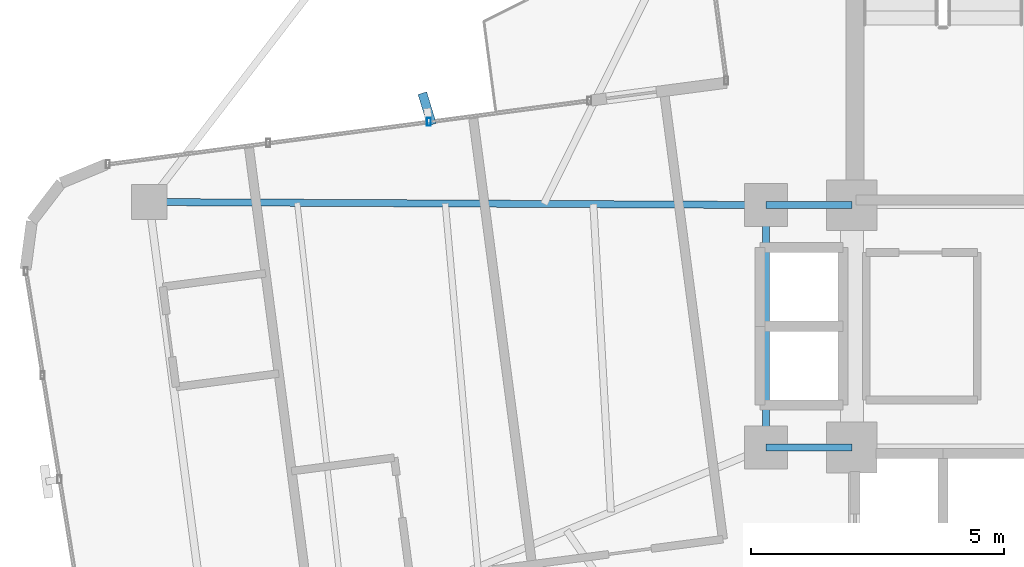
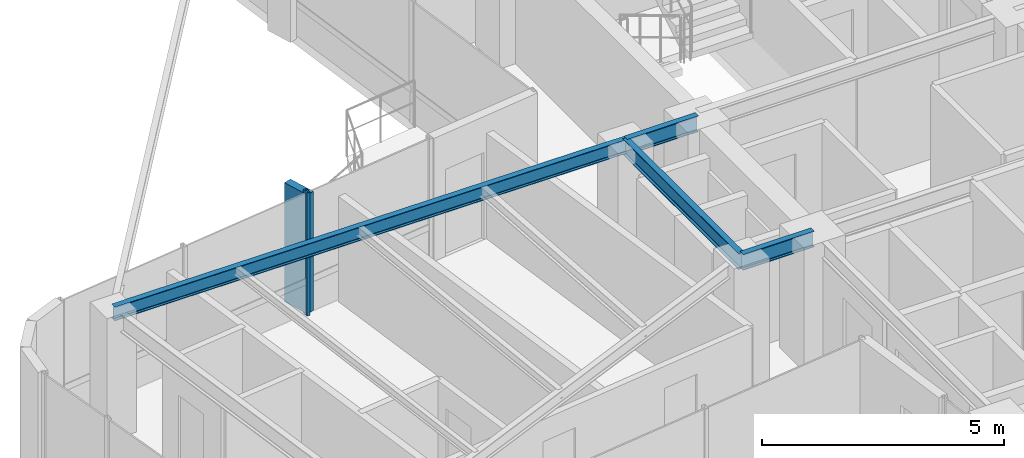
# One storey, part 8 of 22: 4 beams, 2 members, 1 element without a shape of its own.
"""IFC4 building model written with IfcOpenShell, lengths in metres."""

from ifc_helpers import new_model, si_unit, direction, frame, origin, origin_2d, place, context, subcontext, project, spatial, rectangle, hollow_rectangle, i_section, extrude, source, transform, mapped, material, material_profile, profile_set, type_object, element, aggregate, save


model = new_model("IFC4")

# Units and contexts
model_context = context("Model", 3, precision=1e-05, world=origin(), true_north=direction((0.0, 1.0)))
body_context = subcontext(model_context, "Body", "Model", "MODEL_VIEW")
ifc_project = project(units=[si_unit("LENGTHUNIT", "METRE"), si_unit("AREAUNIT", "SQUARE_METRE"), si_unit("VOLUMEUNIT", "CUBIC_METRE"), si_unit("PLANEANGLEUNIT", "RADIAN"), si_unit("MASSUNIT", "GRAM", prefix="KILO")], contexts=[model_context])

# Site, building, storey
site_placement = place(None, origin())
site = spatial("IfcSite", under=ifc_project, at=site_placement, CompositionType="ELEMENT")
building_placement = place(site_placement, origin())
building = spatial("IfcBuilding", under=site, at=building_placement, Name="Sahyath Konkavel Grand Hotel", CompositionType="ELEMENT")
storey_placement = place(building_placement, frame((0.0, 0.0, 272.449951171875)))
storey = spatial("IfcBuildingStorey", under=building, at=storey_placement, Name="L76", CompositionType="ELEMENT", Elevation=272.449951171875)

# Beams
ifc_material_1 = material(Name="Steel E350", Category="steel")
ifc_material_profile_1 = material_profile(ifc_material_1, i_section(OverallWidth=0.139892578125, OverallDepth=0.39990234375, WebThickness=0.0087890625, FlangeThickness=0.01611328125, FilletRadius=0.013916015625, at=origin_2d()), Name="ISMB 400")
ifc_profile_set_1 = profile_set([ifc_material_profile_1], Name="Steel E350")
beam_type_1 = type_object("IfcBeamType", Name="BM-ISMB400", PredefinedType="BEAM", material=ifc_profile_set_1)
shared_shape_1 = source(origin(), body_context, "Body", "SweptSolid", [
    extrude(i_section(OverallWidth=0.139892578125, OverallDepth=0.39990234375, WebThickness=0.0087890625, FlangeThickness=0.01611328125, FilletRadius=0.013916015625, at=origin_2d()), origin(), (0.0, 0.0, 1.0), 1.699951171875),
])
for number, where, z_axis, x_axis, name in (
    (1, (-5.5, 2.39990234375, 2.91015625), (1.0, 0.0, 0.0), (0.0, 1.0, 0.0), "str:bm:L76:HB-NW"),
    (2, (-5.5, -2.39990234375, 2.91015625), (1.0, 0.0, 0.0), (0.0, 1.0, 0.0), "str:bm:L76:HB-SW"),
):
    element("IfcBeam", number, at=place(storey_placement, frame(where, z_axis=z_axis, x_axis=x_axis)), inside=storey, type_object=beam_type_1, Name=name, PredefinedType="BEAM", context=body_context, shape_type="MappedRepresentation", body=[
        mapped(shared_shape_1, transform((0.0, 0.0, 0.0), scale=1.0)),
    ])
shared_shape_2 = source(origin(), body_context, "Body", "SweptSolid", [
    extrude(i_section(OverallWidth=0.139892578125, OverallDepth=0.39990234375, WebThickness=0.0087890625, FlangeThickness=0.01611328125, FilletRadius=0.013916015625, at=origin_2d()), origin(), (0.0, 0.0, 1.0), 4.7998046875),
])
beam_1_placement = place(storey_placement, frame((-5.5, -2.39990234375, 2.91015625), z_axis=(0.0, 1.0, 0.0), x_axis=(-1.0, 0.0, 0.0)))
element("IfcBeam", 3, at=beam_1_placement, inside=storey, type_object=beam_type_1, Name="str:bm:L76:HB-W", PredefinedType="BEAM", context=body_context, shape_type="MappedRepresentation", body=[
    mapped(shared_shape_2, transform((0.0, 0.0, 0.0), scale=1.0)),
])
ifc_material_profile_2 = material_profile(ifc_material_1, i_section(OverallWidth=0.139892578125, OverallDepth=0.35009765625, WebThickness=0.008056640625, FlangeThickness=0.01416015625, FilletRadius=0.013916015625, at=origin_2d()), Name="ISMB 350")
ifc_profile_set_2 = profile_set([ifc_material_profile_2], Name="Steel E350")
beam_type_2 = type_object("IfcBeamType", Name="BM-ISMB350", PredefinedType="BEAM", material=ifc_profile_set_2)
shared_shape_3 = source(origin(), body_context, "Body", "SweptSolid", [
    extrude(i_section(OverallWidth=0.139892578125, OverallDepth=0.35009765625, WebThickness=0.008056640625, FlangeThickness=0.01416015625, FilletRadius=0.013916015625, at=origin_2d()), origin(), (0.0, 0.0, 1.0), 12.212646484375),
])
beam_2_placement = place(storey_placement, frame((-5.5, 2.39990234375, 2.93505859375), z_axis=(-0.999988297706, 0.004837814722, 0.0), x_axis=(-0.004837814722, -0.999988297706, 0.0)))
element("IfcBeam", 4, at=beam_2_placement, inside=storey, type_object=beam_type_2, Name="L76 Cruciform Radial Girder WA", PredefinedType="BEAM", context=body_context, shape_type="MappedRepresentation", body=[
    mapped(shared_shape_3, transform((0.0, 0.0, 0.0), scale=1.0)),
])

# Curtain wall, members
ifc_material_2 = material(Name="Anodised Bronze Aluminium & Low-E Glazing", Category="aluminium")
curtain_wall_type = type_object("IfcCurtainWallType", Name="CW-ZONE4", PredefinedType="NOTDEFINED", material=ifc_material_2)
curtain_wall_placement = place(storey_placement, origin())
curtain_wall = element("IfcCurtainWall", 5, at=curtain_wall_placement, inside=storey, type_object=curtain_wall_type, Name="L76 Unitised Curtain Wall F16", PredefinedType="NOTDEFINED")
ifc_material_3 = material(Name="Warm Buff Sandstone Cladding on Concrete C50/60", Category="masonry")
ifc_material_profile_3 = material_profile(ifc_material_3, rectangle(XDim=0.179931640625, YDim=0.64990234375, at=origin_2d()), Name="FIN 180x650")
ifc_profile_set_3 = profile_set([ifc_material_profile_3], Name="Warm Buff Sandstone Cladding on Concrete C50/60")
member_type_1 = type_object("IfcMemberType", Name="FIN-SANDSTONE-650", PredefinedType="MULLION", material=ifc_profile_set_3)
shared_shape_4 = source(origin(), body_context, "Body", "SweptSolid", [
    extrude(rectangle(XDim=0.179931640625, YDim=0.64990234375, at=origin_2d()), origin(), (0.0, 0.0, 1.0), 3.010009765625),
])
member_1_placement = place(storey_placement, frame((-12.20947265625, 4.30322265625, 0.050048828125), z_axis=(0.0, 0.0, 1.0), x_axis=(0.956151539415, 0.292872384621, 0.0)))
member_1 = element("IfcMember", 6, at=member_1_placement, type_object=member_type_1, Name="L76 Sandstone Vertical Solar Fin FIN F16-1", PredefinedType="MULLION", context=body_context, shape_type="MappedRepresentation", body=[
    mapped(shared_shape_4, transform((0.0, 0.0, 0.0), scale=1.0)),
])
ifc_material_4 = material(Name="Anodised Bronze Aluminium", Category="aluminium")
ifc_material_profile_4 = material_profile(ifc_material_4, hollow_rectangle(XDim=0.080078125, YDim=0.159912109375, WallThickness=0.006103515625, at=origin_2d()), Name="RHS 160x80x6")
ifc_profile_set_4 = profile_set([ifc_material_profile_4], Name="Anodised Bronze Aluminium")
member_type_2 = type_object("IfcMemberType", Name="CW-MUL-160", PredefinedType="MULLION", material=ifc_profile_set_4)
shared_shape_5 = source(origin(), body_context, "Body", "SweptSolid", [
    extrude(hollow_rectangle(XDim=0.080078125, YDim=0.159912109375, WallThickness=0.006103515625, at=origin_2d()), origin(), (0.0, 0.0, 1.0), 3.110107421875),
])
member_2_placement = place(storey_placement, frame((-12.175537109375, 4.04541015625, 0.0), z_axis=(0.0, 0.0, 1.0), x_axis=(1.0, 0.0, 0.0)))
member_2 = element("IfcMember", 7, at=member_2_placement, type_object=member_type_2, Name="L76 Curtain Wall Mullion F16-1", PredefinedType="MULLION", context=body_context, shape_type="MappedRepresentation", body=[
    mapped(shared_shape_5, transform((0.0, 0.0, 0.0), scale=1.0)),
])
aggregate(curtain_wall, [member_2, member_1])

save(model, "model.ifc")
